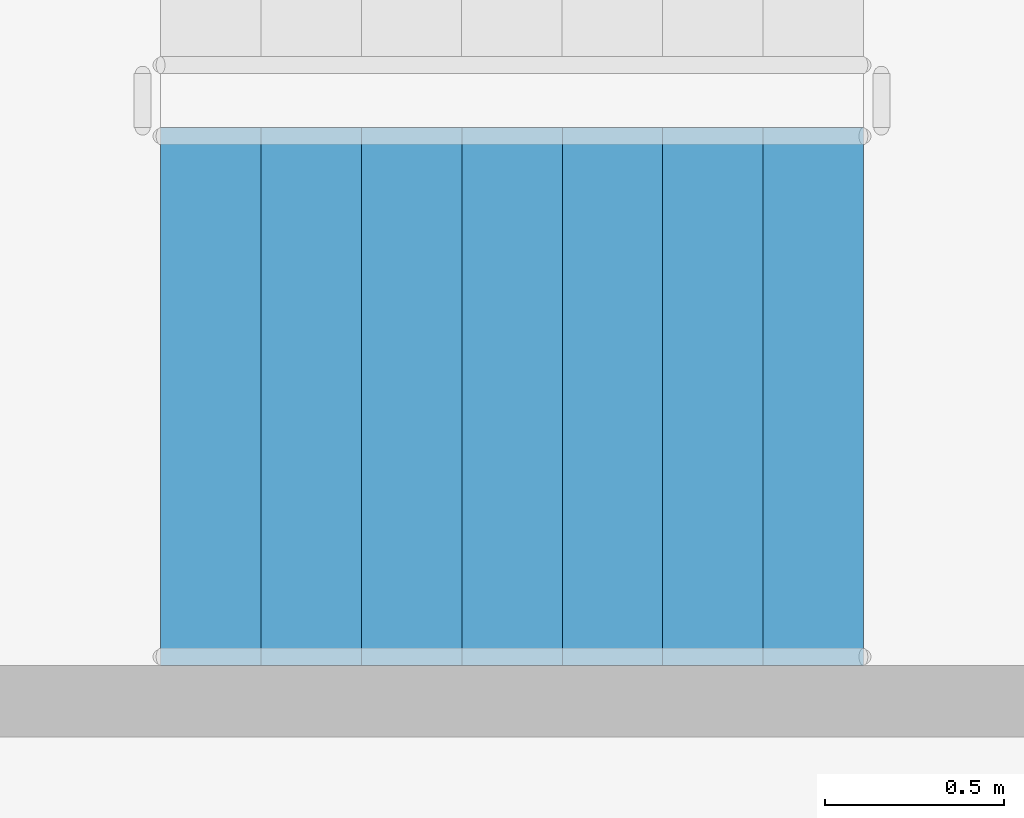
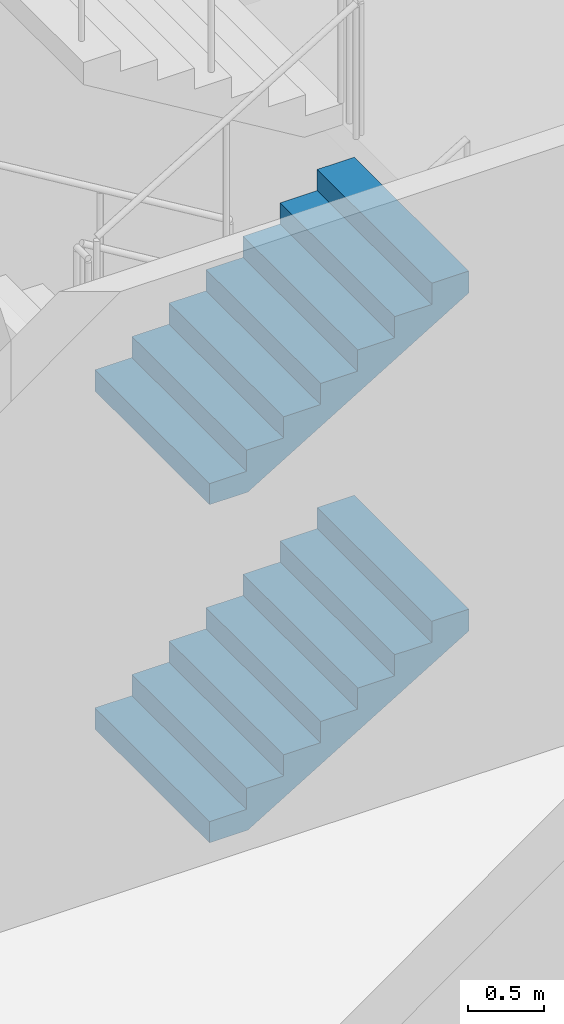
# One storey, part 63 of 101: 2 stair flights, 1 element without a shape of its own.
"""IFC4 building model written with IfcOpenShell, lengths in metres."""

from ifc_helpers import new_model, si_unit, direction, frame, origin, place, context, subcontext, project, spatial, triangles, material, type_object, element, aggregate, save


model = new_model("IFC4")

# Units and contexts
model_context = context("Model", 3, precision=1e-05, world=origin(), true_north=direction((0.0, 1.0)))
body_context = subcontext(model_context, "Body", "Model", "MODEL_VIEW")
ifc_project = project(units=[si_unit("LENGTHUNIT", "METRE"), si_unit("AREAUNIT", "SQUARE_METRE"), si_unit("VOLUMEUNIT", "CUBIC_METRE"), si_unit("PLANEANGLEUNIT", "RADIAN"), si_unit("MASSUNIT", "GRAM", prefix="KILO")], contexts=[model_context])

# Site, building, storey
site_placement = place(None, origin())
site = spatial("IfcSite", under=ifc_project, at=site_placement, CompositionType="ELEMENT")
building_placement = place(site_placement, origin())
building = spatial("IfcBuilding", under=site, at=building_placement, Name="Magnolia Steps Interchange", CompositionType="ELEMENT")
storey_placement = place(building_placement, frame((0.0, 0.0, -5.39990234375)))
storey = spatial("IfcBuildingStorey", under=building, at=storey_placement, Name="B1", CompositionType="ELEMENT", Elevation=-5.39990234375)

# Stair, stair flights
ifc_material_1 = material(Name="Concrete C40", Category="concrete")
stair_type = type_object("IfcStairType", Name="Exit stair 1500", PredefinedType="HALF_TURN_STAIR", material=ifc_material_1)
stair_placement = place(storey_placement, origin())
stair = element("IfcStair", 1, at=stair_placement, inside=storey, type_object=stair_type, Name="B1 Stair 3", PredefinedType="HALF_TURN_STAIR")
ifc_material_2 = material(Name="Concrete C40", Category="concrete")
stair_flight_type = type_object("IfcStairFlightType", Name="Exit stair flight", PredefinedType="STRAIGHT", material=ifc_material_2)
stair_flight_1_placement = place(storey_placement, frame((112.199951171875, 82.699951171875, 0.0), z_axis=(0.0, 0.0, 1.0), x_axis=(1.0, 0.0, 0.0)))
stair_flight_1 = element("IfcStairFlight", 2, at=stair_flight_1_placement, type_object=stair_flight_type, Name="Stair 3 flight 1", NumberOfRisers=8, NumberOfTreads=7, PredefinedType="STRAIGHT", RiserHeight=0.16875, TreadLength=0.28, context=body_context, shape_type="Tessellation", body=[
    triangles([(0.0, -0.75, 0.0), (0.29052734375, -0.75, 0.0), (1.9599609375, -0.75, 1.00634765625), (1.9599609375, -0.75, 1.18115234375), (1.679931640625, -0.75, 1.18115234375), (1.679931640625, -0.75, 1.012451171875), (1.39990234375, -0.75, 1.012451171875), (1.39990234375, -0.75, 0.84375), (1.1201171875, -0.75, 0.84375), (1.1201171875, -0.75, 0.675048828125), (0.840087890625, -0.75, 0.675048828125), (0.840087890625, -0.75, 0.50634765625), (0.56005859375, -0.75, 0.50634765625), (0.56005859375, -0.75, 0.33740234375), (0.280029296875, -0.75, 0.33740234375), (0.280029296875, -0.75, 0.168701171875), (0.0, -0.75, 0.168701171875), (0.0, 0.75, 0.0), (0.29052734375, 0.75, 0.0), (1.9599609375, 0.75, 1.00634765625), (1.9599609375, 0.75, 1.18115234375), (1.679931640625, 0.75, 1.18115234375), (1.679931640625, 0.75, 1.012451171875), (1.39990234375, 0.75, 1.012451171875), (1.39990234375, 0.75, 0.84375), (1.1201171875, 0.75, 0.84375), (1.1201171875, 0.75, 0.675048828125), (0.840087890625, 0.75, 0.675048828125), (0.840087890625, 0.75, 0.50634765625), (0.56005859375, 0.75, 0.50634765625), (0.56005859375, 0.75, 0.33740234375), (0.280029296875, 0.75, 0.33740234375), (0.280029296875, 0.75, 0.168701171875), (0.0, 0.75, 0.168701171875), (0.0, 0.0, 0.0), (0.0, 0.0, 0.04217529296875), (0.0, 0.0, 0.0843505859375), (0.0, 0.0, 0.12652587890625), (0.0, 0.0, 0.168701171875), (0.0, -0.05, 0.0), (0.0, -0.05, 0.168701171875), (0.0, 0.05, 0.0), (0.0, 0.05, 0.168701171875), (0.046671549479166664, 0.0, 0.168701171875), (0.09334309895833333, 0.0, 0.168701171875), (0.1400146484375, 0.0, 0.168701171875), (0.18668619791666666, 0.0, 0.168701171875), (0.23335774739583334, 0.0, 0.168701171875), (0.280029296875, 0.0, 0.168701171875), (0.280029296875, -0.05, 0.168701171875), (0.280029296875, 0.05, 0.168701171875), (0.280029296875, 0.0, 0.21087646484375), (0.280029296875, 0.0, 0.2530517578125), (0.280029296875, 0.0, 0.29522705078125), (0.280029296875, 0.0, 0.33740234375), (0.280029296875, -0.05, 0.33740234375), (0.280029296875, 0.05, 0.33740234375), (0.3267008463541667, 0.0, 0.33740234375), (0.3733723958333333, 0.0, 0.33740234375), (0.4200439453125, 0.0, 0.33740234375), (0.46671549479166663, 0.0, 0.33740234375), (0.5133870442708334, 0.0, 0.33740234375), (0.56005859375, 0.0, 0.33740234375), (0.56005859375, -0.05, 0.33740234375), (0.56005859375, 0.05, 0.33740234375), (0.56005859375, 0.0, 0.379638671875), (0.56005859375, 0.0, 0.421875), (0.56005859375, 0.0, 0.464111328125), (0.56005859375, 0.0, 0.50634765625), (0.56005859375, -0.05, 0.50634765625), (0.56005859375, 0.05, 0.50634765625), (0.6067301432291666, 0.0, 0.50634765625), (0.6534016927083334, 0.0, 0.50634765625), (0.7000732421875, 0.0, 0.50634765625), (0.7467447916666666, 0.0, 0.50634765625), (0.7934163411458334, 0.0, 0.50634765625), (0.840087890625, 0.0, 0.50634765625), (0.840087890625, -0.05, 0.50634765625), (0.840087890625, 0.05, 0.50634765625), (0.840087890625, 0.0, 0.54852294921875), (0.840087890625, 0.0, 0.5906982421875), (0.840087890625, 0.0, 0.63287353515625), (0.840087890625, 0.0, 0.675048828125), (0.840087890625, -0.05, 0.675048828125), (0.840087890625, 0.05, 0.675048828125), (0.8867594401041666, 0.0, 0.675048828125), (0.9334309895833334, 0.0, 0.675048828125), (0.9801025390625, 0.0, 0.675048828125), (1.0267740885416667, 0.0, 0.675048828125), (1.0734456380208333, 0.0, 0.675048828125), (1.1201171875, 0.0, 0.675048828125), (1.1201171875, -0.05, 0.675048828125), (1.1201171875, 0.05, 0.675048828125), (1.1201171875, 0.0, 0.71722412109375), (1.1201171875, 0.0, 0.7593994140625), (1.1201171875, 0.0, 0.80157470703125), (1.1201171875, 0.0, 0.84375), (1.1201171875, -0.05, 0.84375), (1.1201171875, 0.05, 0.84375), (1.1900634765625, 0.0, 0.84375), (1.260009765625, 0.0, 0.84375), (1.3299560546875, 0.0, 0.84375), (1.39990234375, 0.0, 0.84375), (1.39990234375, -0.05, 0.84375), (1.39990234375, 0.05, 0.84375), (1.39990234375, 0.0, 0.88592529296875), (1.39990234375, 0.0, 0.9281005859375), (1.39990234375, 0.0, 0.97027587890625), (1.39990234375, 0.0, 1.012451171875), (1.39990234375, -0.05, 1.012451171875), (1.39990234375, 0.05, 1.012451171875), (1.4465738932291667, 0.0, 1.012451171875), (1.4932454427083333, 0.0, 1.012451171875), (1.5399169921875, 0.0, 1.012451171875), (1.5865885416666667, 0.0, 1.012451171875), (1.6332600911458333, 0.0, 1.012451171875), (1.679931640625, 0.0, 1.012451171875), (1.679931640625, -0.05, 1.012451171875), (1.679931640625, 0.05, 1.012451171875), (1.679931640625, 0.0, 1.05462646484375), (1.679931640625, 0.0, 1.0968017578125), (1.679931640625, 0.0, 1.13897705078125), (1.679931640625, 0.0, 1.18115234375), (1.679931640625, -0.05, 1.18115234375), (1.679931640625, 0.05, 1.18115234375), (1.7266031901041667, 0.0, 1.18115234375), (1.7732747395833333, 0.0, 1.18115234375), (1.8199462890625, 0.0, 1.18115234375), (1.8666178385416667, 0.0, 1.18115234375), (1.9132893880208333, 0.0, 1.18115234375), (1.9599609375, 0.0, 1.18115234375), (1.9599609375, -0.05, 1.18115234375), (1.9599609375, 0.05, 1.18115234375), (1.9599609375, 0.0, 1.137451171875), (1.9599609375, 0.0, 1.09375), (1.9599609375, 0.0, 1.050048828125), (1.9599609375, 0.0, 1.00634765625), (1.9599609375, -0.05, 1.00634765625), (1.9599609375, 0.05, 1.00634765625), (1.9003383091517858, 0.0, 0.9704066685267857), (1.8407156808035714, 0.0, 0.9344656808035714), (1.7810930524553572, 0.0, 0.8985246930803571), (1.7214704241071428, 0.0, 0.8625837053571428), (1.6618477957589286, 0.0, 0.8266427176339286), (1.6022251674107144, 0.0, 0.7907017299107143), (1.5426025390625, 0.0, 0.7547607421875), (1.4829799107142856, 0.0, 0.7188197544642857), (1.4233572823660714, 0.0, 0.6828787667410714), (1.3637346540178572, 0.0, 0.6469377790178572), (1.3041120256696428, 0.0, 0.6109967912946428), (1.2444893973214286, 0.0, 0.5750558035714286), (1.1848667689732144, 0.0, 0.5391148158482143), (1.125244140625, 0.0, 0.503173828125), (1.0656215122767856, 0.0, 0.4672328404017857), (1.0059988839285714, 0.0, 0.4312918526785714), (0.9463762555803572, 0.0, 0.3953508649553571), (0.8867536272321428, 0.0, 0.3594098772321429), (0.8271309988839286, 0.0, 0.3234688895089286), (0.7675083705357142, 0.0, 0.2875279017857143), (0.7078857421875, 0.0, 0.2515869140625), (0.6482631138392858, 0.0, 0.2156459263392857), (0.5886404854910714, 0.0, 0.1797049386160714), (0.5290178571428572, 0.0, 0.1437639508928571), (0.4693952287946428, 0.0, 0.1078229631696429), (0.4097726004464286, 0.0, 0.0718819754464286), (0.3501499720982142, 0.0, 0.0359409877232143), (0.29052734375, 0.0, 0.0), (0.29052734375, -0.05, 0.0), (0.29052734375, 0.05, 0.0), (0.24210611979166666, 0.0, 0.0), (0.19368489583333331, 0.0, 0.0), (0.145263671875, 0.0, 0.0), (0.09684244791666666, 0.0, 0.0), (0.04842122395833334, 0.0, 0.0)], [[1, 2, 3], [3, 4, 5], [3, 5, 6], [3, 6, 7], [3, 7, 8], [8, 9, 10], [3, 8, 10], [10, 11, 12], [3, 10, 12], [12, 13, 14], [3, 12, 14], [14, 15, 16], [3, 14, 16], [1, 3, 16], [16, 17, 1], [18, 20, 19], [20, 22, 21], [20, 23, 22], [20, 24, 23], [20, 25, 24], [25, 27, 26], [20, 27, 25], [27, 29, 28], [20, 29, 27], [29, 31, 30], [20, 31, 29], [31, 33, 32], [20, 33, 31], [18, 33, 20], [33, 18, 34], [1, 17, 41], [1, 41, 40], [40, 36, 35], [40, 37, 36], [40, 41, 37], [41, 38, 37], [41, 39, 38], [18, 43, 34], [18, 42, 43], [42, 35, 36], [42, 36, 37], [42, 37, 43], [43, 37, 38], [43, 38, 39], [17, 16, 50], [17, 50, 41], [41, 44, 39], [41, 45, 44], [41, 46, 45], [41, 50, 46], [50, 47, 46], [50, 48, 47], [50, 49, 48], [34, 51, 33], [34, 43, 51], [43, 39, 44], [43, 44, 45], [43, 45, 46], [43, 46, 51], [51, 46, 47], [51, 47, 48], [51, 48, 49], [16, 15, 56], [16, 56, 50], [50, 52, 49], [50, 53, 52], [50, 56, 53], [56, 54, 53], [56, 55, 54], [33, 57, 32], [33, 51, 57], [51, 49, 52], [51, 52, 53], [51, 53, 57], [57, 53, 54], [57, 54, 55], [15, 14, 64], [15, 64, 56], [56, 58, 55], [56, 59, 58], [56, 60, 59], [56, 64, 60], [64, 61, 60], [64, 62, 61], [64, 63, 62], [32, 65, 31], [32, 57, 65], [57, 55, 58], [57, 58, 59], [57, 59, 60], [57, 60, 65], [65, 60, 61], [65, 61, 62], [65, 62, 63], [14, 13, 70], [14, 70, 64], [64, 66, 63], [64, 67, 66], [64, 70, 67], [70, 68, 67], [70, 69, 68], [31, 71, 30], [31, 65, 71], [65, 63, 66], [65, 66, 67], [65, 67, 71], [71, 67, 68], [71, 68, 69], [13, 12, 78], [13, 78, 70], [70, 72, 69], [70, 73, 72], [70, 74, 73], [70, 78, 74], [78, 75, 74], [78, 76, 75], [78, 77, 76], [30, 79, 29], [30, 71, 79], [71, 69, 72], [71, 72, 73], [71, 73, 74], [71, 74, 79], [79, 74, 75], [79, 75, 76], [79, 76, 77], [12, 11, 84], [12, 84, 78], [78, 80, 77], [78, 81, 80], [78, 84, 81], [84, 82, 81], [84, 83, 82], [29, 85, 28], [29, 79, 85], [79, 77, 80], [79, 80, 81], [79, 81, 85], [85, 81, 82], [85, 82, 83], [11, 10, 92], [11, 92, 84], [84, 86, 83], [84, 87, 86], [84, 88, 87], [84, 92, 88], [92, 89, 88], [92, 90, 89], [92, 91, 90], [28, 93, 27], [28, 85, 93], [85, 83, 86], [85, 86, 87], [85, 87, 88], [85, 88, 93], [93, 88, 89], [93, 89, 90], [93, 90, 91], [10, 9, 98], [10, 98, 92], [92, 94, 91], [92, 95, 94], [92, 98, 95], [98, 96, 95], [98, 97, 96], [27, 99, 26], [27, 93, 99], [93, 91, 94], [93, 94, 95], [93, 95, 99], [99, 95, 96], [99, 96, 97], [9, 8, 104], [9, 104, 98], [98, 100, 97], [98, 101, 100], [98, 104, 101], [104, 102, 101], [104, 103, 102], [26, 105, 25], [26, 99, 105], [99, 97, 100], [99, 100, 101], [99, 101, 105], [105, 101, 102], [105, 102, 103], [8, 7, 110], [8, 110, 104], [104, 106, 103], [104, 107, 106], [104, 110, 107], [110, 108, 107], [110, 109, 108], [25, 111, 24], [25, 105, 111], [105, 103, 106], [105, 106, 107], [105, 107, 111], [111, 107, 108], [111, 108, 109], [7, 6, 118], [7, 118, 110], [110, 112, 109], [110, 113, 112], [110, 114, 113], [110, 118, 114], [118, 115, 114], [118, 116, 115], [118, 117, 116], [24, 119, 23], [24, 111, 119], [111, 109, 112], [111, 112, 113], [111, 113, 114], [111, 114, 119], [119, 114, 115], [119, 115, 116], [119, 116, 117], [6, 5, 124], [6, 124, 118], [118, 120, 117], [118, 121, 120], [118, 124, 121], [124, 122, 121], [124, 123, 122], [23, 125, 22], [23, 119, 125], [119, 117, 120], [119, 120, 121], [119, 121, 125], [125, 121, 122], [125, 122, 123], [5, 4, 132], [5, 132, 124], [124, 126, 123], [124, 127, 126], [124, 128, 127], [124, 132, 128], [132, 129, 128], [132, 130, 129], [132, 131, 130], [22, 133, 21], [22, 125, 133], [125, 123, 126], [125, 126, 127], [125, 127, 128], [125, 128, 133], [133, 128, 129], [133, 129, 130], [133, 130, 131], [4, 3, 138], [4, 138, 132], [132, 134, 131], [132, 135, 134], [132, 138, 135], [138, 136, 135], [138, 137, 136], [21, 139, 20], [21, 133, 139], [133, 131, 134], [133, 134, 135], [133, 135, 139], [139, 135, 136], [139, 136, 137], [3, 2, 168], [3, 168, 138], [138, 140, 137], [138, 141, 140], [138, 142, 141], [138, 143, 142], [138, 144, 143], [138, 145, 144], [138, 146, 145], [138, 147, 146], [138, 148, 147], [138, 149, 148], [138, 150, 149], [138, 151, 150], [138, 152, 151], [138, 153, 152], [138, 168, 153], [168, 154, 153], [168, 155, 154], [168, 156, 155], [168, 157, 156], [168, 158, 157], [168, 159, 158], [168, 160, 159], [168, 161, 160], [168, 162, 161], [168, 163, 162], [168, 164, 163], [168, 165, 164], [168, 166, 165], [168, 167, 166], [20, 169, 19], [20, 139, 169], [139, 137, 140], [139, 140, 141], [139, 141, 142], [139, 142, 143], [139, 143, 144], [139, 144, 145], [139, 145, 146], [139, 146, 147], [139, 147, 148], [139, 148, 149], [139, 149, 150], [139, 150, 151], [139, 151, 152], [139, 152, 153], [139, 153, 169], [169, 153, 154], [169, 154, 155], [169, 155, 156], [169, 156, 157], [169, 157, 158], [169, 158, 159], [169, 159, 160], [169, 160, 161], [169, 161, 162], [169, 162, 163], [169, 163, 164], [169, 164, 165], [169, 165, 166], [169, 166, 167], [2, 1, 40], [2, 40, 168], [168, 170, 167], [168, 171, 170], [168, 172, 171], [168, 40, 172], [40, 173, 172], [40, 174, 173], [40, 35, 174], [19, 42, 18], [19, 169, 42], [169, 167, 170], [169, 170, 171], [169, 171, 172], [169, 172, 42], [42, 172, 173], [42, 173, 174], [42, 174, 35]], closed=True),
])
stair_flight_2_placement = place(storey_placement, frame((112.199951171875, 82.699951171875, 2.699951171875), z_axis=(0.0, 0.0, 1.0), x_axis=(1.0, 0.0, 0.0)))
stair_flight_2 = element("IfcStairFlight", 3, at=stair_flight_2_placement, type_object=stair_flight_type, Name="Stair 3 flight 3", NumberOfRisers=8, NumberOfTreads=7, PredefinedType="STRAIGHT", RiserHeight=0.16875, TreadLength=0.28, context=body_context, shape_type="Tessellation", body=[
    triangles([(0.0, -0.75, 0.0), (0.29052734375, -0.75, 0.0), (1.9599609375, -0.75, 1.00634765625), (1.9599609375, -0.75, 1.18115234375), (1.679931640625, -0.75, 1.18115234375), (1.679931640625, -0.75, 1.012451171875), (1.39990234375, -0.75, 1.012451171875), (1.39990234375, -0.75, 0.84375), (1.1201171875, -0.75, 0.84375), (1.1201171875, -0.75, 0.675048828125), (0.840087890625, -0.75, 0.675048828125), (0.840087890625, -0.75, 0.50634765625), (0.56005859375, -0.75, 0.50634765625), (0.56005859375, -0.75, 0.33740234375), (0.280029296875, -0.75, 0.33740234375), (0.280029296875, -0.75, 0.168701171875), (0.0, -0.75, 0.168701171875), (0.0, 0.75, 0.0), (0.29052734375, 0.75, 0.0), (1.9599609375, 0.75, 1.00634765625), (1.9599609375, 0.75, 1.18115234375), (1.679931640625, 0.75, 1.18115234375), (1.679931640625, 0.75, 1.012451171875), (1.39990234375, 0.75, 1.012451171875), (1.39990234375, 0.75, 0.84375), (1.1201171875, 0.75, 0.84375), (1.1201171875, 0.75, 0.675048828125), (0.840087890625, 0.75, 0.675048828125), (0.840087890625, 0.75, 0.50634765625), (0.56005859375, 0.75, 0.50634765625), (0.56005859375, 0.75, 0.33740234375), (0.280029296875, 0.75, 0.33740234375), (0.280029296875, 0.75, 0.168701171875), (0.0, 0.75, 0.168701171875), (0.0, 0.0, 0.0), (0.0, 0.0, 0.04217529296875), (0.0, 0.0, 0.0843505859375), (0.0, 0.0, 0.12652587890625), (0.0, 0.0, 0.168701171875), (0.0, -0.05, 0.0), (0.0, -0.05, 0.168701171875), (0.0, 0.05, 0.0), (0.0, 0.05, 0.168701171875), (0.046671549479166664, 0.0, 0.168701171875), (0.09334309895833333, 0.0, 0.168701171875), (0.1400146484375, 0.0, 0.168701171875), (0.18668619791666666, 0.0, 0.168701171875), (0.23335774739583334, 0.0, 0.168701171875), (0.280029296875, 0.0, 0.168701171875), (0.280029296875, -0.05, 0.168701171875), (0.280029296875, 0.05, 0.168701171875), (0.280029296875, 0.0, 0.21087646484375), (0.280029296875, 0.0, 0.2530517578125), (0.280029296875, 0.0, 0.29522705078125), (0.280029296875, 0.0, 0.33740234375), (0.280029296875, -0.05, 0.33740234375), (0.280029296875, 0.05, 0.33740234375), (0.3267008463541667, 0.0, 0.33740234375), (0.3733723958333333, 0.0, 0.33740234375), (0.4200439453125, 0.0, 0.33740234375), (0.46671549479166663, 0.0, 0.33740234375), (0.5133870442708334, 0.0, 0.33740234375), (0.56005859375, 0.0, 0.33740234375), (0.56005859375, -0.05, 0.33740234375), (0.56005859375, 0.05, 0.33740234375), (0.56005859375, 0.0, 0.379638671875), (0.56005859375, 0.0, 0.421875), (0.56005859375, 0.0, 0.464111328125), (0.56005859375, 0.0, 0.50634765625), (0.56005859375, -0.05, 0.50634765625), (0.56005859375, 0.05, 0.50634765625), (0.6067301432291666, 0.0, 0.50634765625), (0.6534016927083334, 0.0, 0.50634765625), (0.7000732421875, 0.0, 0.50634765625), (0.7467447916666666, 0.0, 0.50634765625), (0.7934163411458334, 0.0, 0.50634765625), (0.840087890625, 0.0, 0.50634765625), (0.840087890625, -0.05, 0.50634765625), (0.840087890625, 0.05, 0.50634765625), (0.840087890625, 0.0, 0.54852294921875), (0.840087890625, 0.0, 0.5906982421875), (0.840087890625, 0.0, 0.63287353515625), (0.840087890625, 0.0, 0.675048828125), (0.840087890625, -0.05, 0.675048828125), (0.840087890625, 0.05, 0.675048828125), (0.8867594401041666, 0.0, 0.675048828125), (0.9334309895833334, 0.0, 0.675048828125), (0.9801025390625, 0.0, 0.675048828125), (1.0267740885416667, 0.0, 0.675048828125), (1.0734456380208333, 0.0, 0.675048828125), (1.1201171875, 0.0, 0.675048828125), (1.1201171875, -0.05, 0.675048828125), (1.1201171875, 0.05, 0.675048828125), (1.1201171875, 0.0, 0.71722412109375), (1.1201171875, 0.0, 0.7593994140625), (1.1201171875, 0.0, 0.80157470703125), (1.1201171875, 0.0, 0.84375), (1.1201171875, -0.05, 0.84375), (1.1201171875, 0.05, 0.84375), (1.1900634765625, 0.0, 0.84375), (1.260009765625, 0.0, 0.84375), (1.3299560546875, 0.0, 0.84375), (1.39990234375, 0.0, 0.84375), (1.39990234375, -0.05, 0.84375), (1.39990234375, 0.05, 0.84375), (1.39990234375, 0.0, 0.88592529296875), (1.39990234375, 0.0, 0.9281005859375), (1.39990234375, 0.0, 0.97027587890625), (1.39990234375, 0.0, 1.012451171875), (1.39990234375, -0.05, 1.012451171875), (1.39990234375, 0.05, 1.012451171875), (1.4465738932291667, 0.0, 1.012451171875), (1.4932454427083333, 0.0, 1.012451171875), (1.5399169921875, 0.0, 1.012451171875), (1.5865885416666667, 0.0, 1.012451171875), (1.6332600911458333, 0.0, 1.012451171875), (1.679931640625, 0.0, 1.012451171875), (1.679931640625, -0.05, 1.012451171875), (1.679931640625, 0.05, 1.012451171875), (1.679931640625, 0.0, 1.05462646484375), (1.679931640625, 0.0, 1.0968017578125), (1.679931640625, 0.0, 1.13897705078125), (1.679931640625, 0.0, 1.18115234375), (1.679931640625, -0.05, 1.18115234375), (1.679931640625, 0.05, 1.18115234375), (1.7266031901041667, 0.0, 1.18115234375), (1.7732747395833333, 0.0, 1.18115234375), (1.8199462890625, 0.0, 1.18115234375), (1.8666178385416667, 0.0, 1.18115234375), (1.9132893880208333, 0.0, 1.18115234375), (1.9599609375, 0.0, 1.18115234375), (1.9599609375, -0.05, 1.18115234375), (1.9599609375, 0.05, 1.18115234375), (1.9599609375, 0.0, 1.137451171875), (1.9599609375, 0.0, 1.09375), (1.9599609375, 0.0, 1.050048828125), (1.9599609375, 0.0, 1.00634765625), (1.9599609375, -0.05, 1.00634765625), (1.9599609375, 0.05, 1.00634765625), (1.9003383091517858, 0.0, 0.9704066685267857), (1.8407156808035714, 0.0, 0.9344656808035714), (1.7810930524553572, 0.0, 0.8985246930803571), (1.7214704241071428, 0.0, 0.8625837053571428), (1.6618477957589286, 0.0, 0.8266427176339286), (1.6022251674107144, 0.0, 0.7907017299107143), (1.5426025390625, 0.0, 0.7547607421875), (1.4829799107142856, 0.0, 0.7188197544642857), (1.4233572823660714, 0.0, 0.6828787667410714), (1.3637346540178572, 0.0, 0.6469377790178572), (1.3041120256696428, 0.0, 0.6109967912946428), (1.2444893973214286, 0.0, 0.5750558035714286), (1.1848667689732144, 0.0, 0.5391148158482143), (1.125244140625, 0.0, 0.503173828125), (1.0656215122767856, 0.0, 0.4672328404017857), (1.0059988839285714, 0.0, 0.4312918526785714), (0.9463762555803572, 0.0, 0.3953508649553571), (0.8867536272321428, 0.0, 0.3594098772321429), (0.8271309988839286, 0.0, 0.3234688895089286), (0.7675083705357142, 0.0, 0.2875279017857143), (0.7078857421875, 0.0, 0.2515869140625), (0.6482631138392858, 0.0, 0.2156459263392857), (0.5886404854910714, 0.0, 0.1797049386160714), (0.5290178571428572, 0.0, 0.1437639508928571), (0.4693952287946428, 0.0, 0.1078229631696429), (0.4097726004464286, 0.0, 0.0718819754464286), (0.3501499720982142, 0.0, 0.0359409877232143), (0.29052734375, 0.0, 0.0), (0.29052734375, -0.05, 0.0), (0.29052734375, 0.05, 0.0), (0.24210611979166666, 0.0, 0.0), (0.19368489583333331, 0.0, 0.0), (0.145263671875, 0.0, 0.0), (0.09684244791666666, 0.0, 0.0), (0.04842122395833334, 0.0, 0.0)], [[1, 2, 3], [3, 4, 5], [3, 5, 6], [3, 6, 7], [3, 7, 8], [8, 9, 10], [3, 8, 10], [10, 11, 12], [3, 10, 12], [12, 13, 14], [3, 12, 14], [14, 15, 16], [3, 14, 16], [1, 3, 16], [16, 17, 1], [18, 20, 19], [20, 22, 21], [20, 23, 22], [20, 24, 23], [20, 25, 24], [25, 27, 26], [20, 27, 25], [27, 29, 28], [20, 29, 27], [29, 31, 30], [20, 31, 29], [31, 33, 32], [20, 33, 31], [18, 33, 20], [33, 18, 34], [1, 17, 41], [1, 41, 40], [40, 36, 35], [40, 37, 36], [40, 41, 37], [41, 38, 37], [41, 39, 38], [18, 43, 34], [18, 42, 43], [42, 35, 36], [42, 36, 37], [42, 37, 43], [43, 37, 38], [43, 38, 39], [17, 16, 50], [17, 50, 41], [41, 44, 39], [41, 45, 44], [41, 46, 45], [41, 50, 46], [50, 47, 46], [50, 48, 47], [50, 49, 48], [34, 51, 33], [34, 43, 51], [43, 39, 44], [43, 44, 45], [43, 45, 46], [43, 46, 51], [51, 46, 47], [51, 47, 48], [51, 48, 49], [16, 15, 56], [16, 56, 50], [50, 52, 49], [50, 53, 52], [50, 56, 53], [56, 54, 53], [56, 55, 54], [33, 57, 32], [33, 51, 57], [51, 49, 52], [51, 52, 53], [51, 53, 57], [57, 53, 54], [57, 54, 55], [15, 14, 64], [15, 64, 56], [56, 58, 55], [56, 59, 58], [56, 60, 59], [56, 64, 60], [64, 61, 60], [64, 62, 61], [64, 63, 62], [32, 65, 31], [32, 57, 65], [57, 55, 58], [57, 58, 59], [57, 59, 60], [57, 60, 65], [65, 60, 61], [65, 61, 62], [65, 62, 63], [14, 13, 70], [14, 70, 64], [64, 66, 63], [64, 67, 66], [64, 70, 67], [70, 68, 67], [70, 69, 68], [31, 71, 30], [31, 65, 71], [65, 63, 66], [65, 66, 67], [65, 67, 71], [71, 67, 68], [71, 68, 69], [13, 12, 78], [13, 78, 70], [70, 72, 69], [70, 73, 72], [70, 74, 73], [70, 78, 74], [78, 75, 74], [78, 76, 75], [78, 77, 76], [30, 79, 29], [30, 71, 79], [71, 69, 72], [71, 72, 73], [71, 73, 74], [71, 74, 79], [79, 74, 75], [79, 75, 76], [79, 76, 77], [12, 11, 84], [12, 84, 78], [78, 80, 77], [78, 81, 80], [78, 84, 81], [84, 82, 81], [84, 83, 82], [29, 85, 28], [29, 79, 85], [79, 77, 80], [79, 80, 81], [79, 81, 85], [85, 81, 82], [85, 82, 83], [11, 10, 92], [11, 92, 84], [84, 86, 83], [84, 87, 86], [84, 88, 87], [84, 92, 88], [92, 89, 88], [92, 90, 89], [92, 91, 90], [28, 93, 27], [28, 85, 93], [85, 83, 86], [85, 86, 87], [85, 87, 88], [85, 88, 93], [93, 88, 89], [93, 89, 90], [93, 90, 91], [10, 9, 98], [10, 98, 92], [92, 94, 91], [92, 95, 94], [92, 98, 95], [98, 96, 95], [98, 97, 96], [27, 99, 26], [27, 93, 99], [93, 91, 94], [93, 94, 95], [93, 95, 99], [99, 95, 96], [99, 96, 97], [9, 8, 104], [9, 104, 98], [98, 100, 97], [98, 101, 100], [98, 104, 101], [104, 102, 101], [104, 103, 102], [26, 105, 25], [26, 99, 105], [99, 97, 100], [99, 100, 101], [99, 101, 105], [105, 101, 102], [105, 102, 103], [8, 7, 110], [8, 110, 104], [104, 106, 103], [104, 107, 106], [104, 110, 107], [110, 108, 107], [110, 109, 108], [25, 111, 24], [25, 105, 111], [105, 103, 106], [105, 106, 107], [105, 107, 111], [111, 107, 108], [111, 108, 109], [7, 6, 118], [7, 118, 110], [110, 112, 109], [110, 113, 112], [110, 114, 113], [110, 118, 114], [118, 115, 114], [118, 116, 115], [118, 117, 116], [24, 119, 23], [24, 111, 119], [111, 109, 112], [111, 112, 113], [111, 113, 114], [111, 114, 119], [119, 114, 115], [119, 115, 116], [119, 116, 117], [6, 5, 124], [6, 124, 118], [118, 120, 117], [118, 121, 120], [118, 124, 121], [124, 122, 121], [124, 123, 122], [23, 125, 22], [23, 119, 125], [119, 117, 120], [119, 120, 121], [119, 121, 125], [125, 121, 122], [125, 122, 123], [5, 4, 132], [5, 132, 124], [124, 126, 123], [124, 127, 126], [124, 128, 127], [124, 132, 128], [132, 129, 128], [132, 130, 129], [132, 131, 130], [22, 133, 21], [22, 125, 133], [125, 123, 126], [125, 126, 127], [125, 127, 128], [125, 128, 133], [133, 128, 129], [133, 129, 130], [133, 130, 131], [4, 3, 138], [4, 138, 132], [132, 134, 131], [132, 135, 134], [132, 138, 135], [138, 136, 135], [138, 137, 136], [21, 139, 20], [21, 133, 139], [133, 131, 134], [133, 134, 135], [133, 135, 139], [139, 135, 136], [139, 136, 137], [3, 2, 168], [3, 168, 138], [138, 140, 137], [138, 141, 140], [138, 142, 141], [138, 143, 142], [138, 144, 143], [138, 145, 144], [138, 146, 145], [138, 147, 146], [138, 148, 147], [138, 149, 148], [138, 150, 149], [138, 151, 150], [138, 152, 151], [138, 153, 152], [138, 168, 153], [168, 154, 153], [168, 155, 154], [168, 156, 155], [168, 157, 156], [168, 158, 157], [168, 159, 158], [168, 160, 159], [168, 161, 160], [168, 162, 161], [168, 163, 162], [168, 164, 163], [168, 165, 164], [168, 166, 165], [168, 167, 166], [20, 169, 19], [20, 139, 169], [139, 137, 140], [139, 140, 141], [139, 141, 142], [139, 142, 143], [139, 143, 144], [139, 144, 145], [139, 145, 146], [139, 146, 147], [139, 147, 148], [139, 148, 149], [139, 149, 150], [139, 150, 151], [139, 151, 152], [139, 152, 153], [139, 153, 169], [169, 153, 154], [169, 154, 155], [169, 155, 156], [169, 156, 157], [169, 157, 158], [169, 158, 159], [169, 159, 160], [169, 160, 161], [169, 161, 162], [169, 162, 163], [169, 163, 164], [169, 164, 165], [169, 165, 166], [169, 166, 167], [2, 1, 40], [2, 40, 168], [168, 170, 167], [168, 171, 170], [168, 172, 171], [168, 40, 172], [40, 173, 172], [40, 174, 173], [40, 35, 174], [19, 42, 18], [19, 169, 42], [169, 167, 170], [169, 170, 171], [169, 171, 172], [169, 172, 42], [42, 172, 173], [42, 173, 174], [42, 174, 35]], closed=True),
])
aggregate(stair, [stair_flight_1, stair_flight_2])

save(model, "model.ifc")
